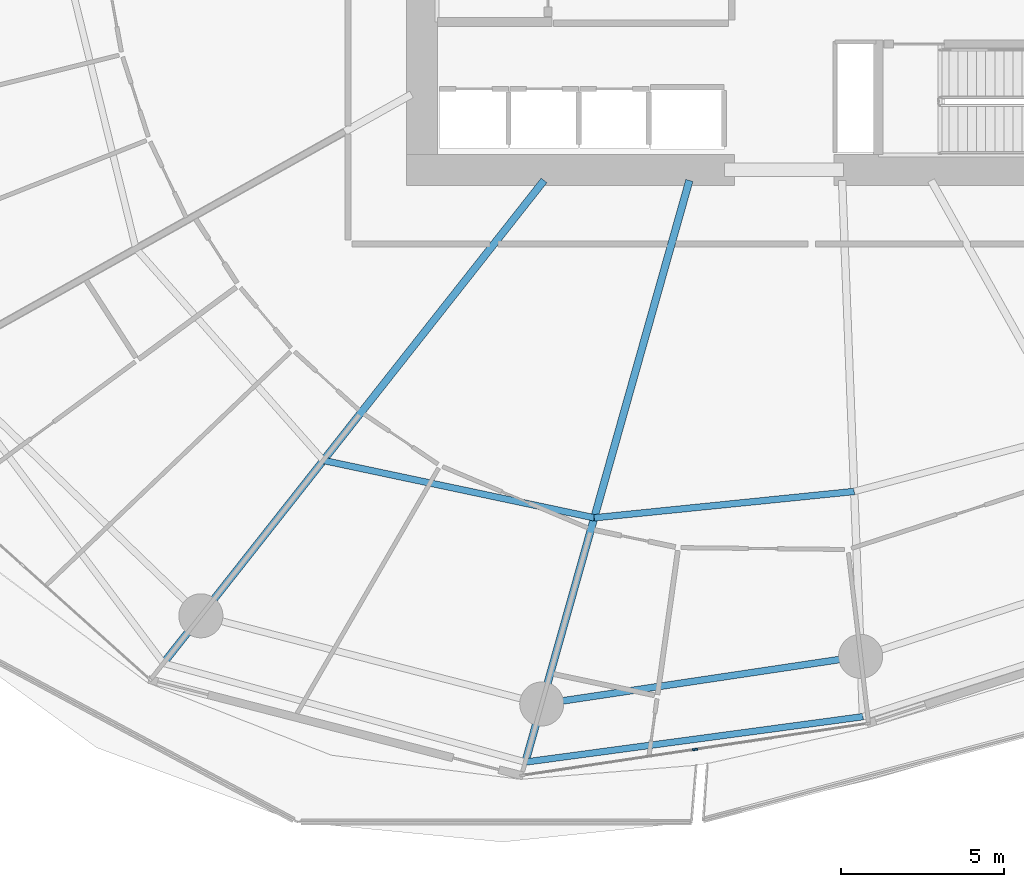
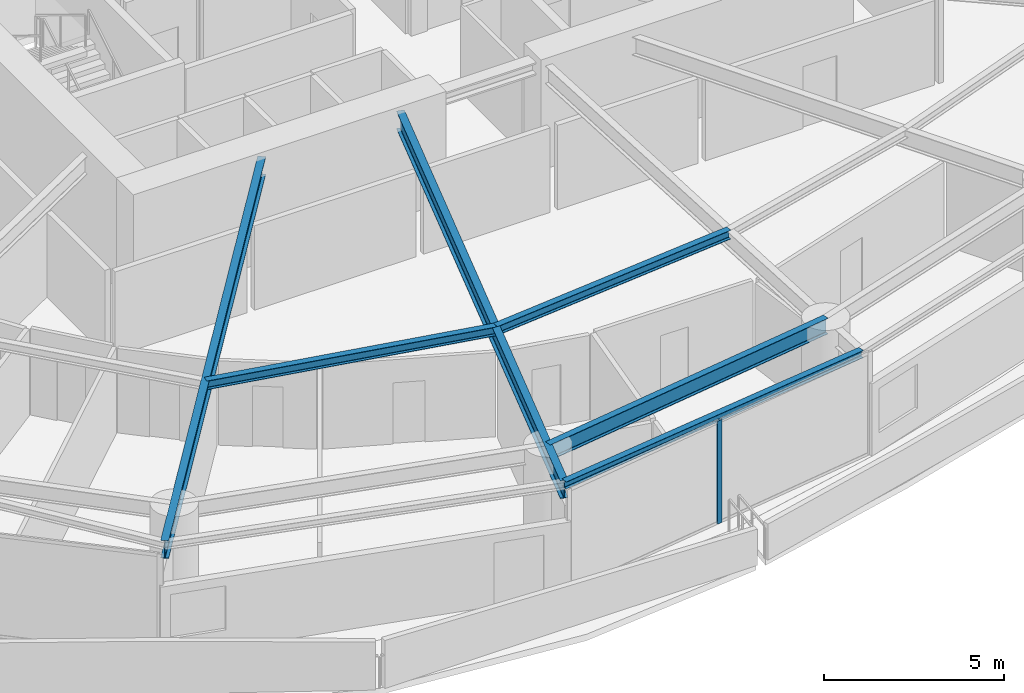
# One storey, part 7 of 31: 6 beams, 1 member, 1 element without a shape of its own.
"""IFC4 building model written with IfcOpenShell, lengths in metres."""

from ifc_helpers import new_model, si_unit, direction, frame, origin, origin_2d, place, context, subcontext, project, spatial, rectangle, i_section, extrude, material, layer, layer_set, material_profile, profile_set, type_object, element, aggregate, save


model = new_model("IFC4")

# Units and contexts
model_context = context("Model", 3, precision=1e-05, world=origin(), true_north=direction((0.0, 1.0)))
body_context = subcontext(model_context, "Body", "Model", "MODEL_VIEW")
ifc_project = project(units=[si_unit("LENGTHUNIT", "METRE"), si_unit("AREAUNIT", "SQUARE_METRE"), si_unit("VOLUMEUNIT", "CUBIC_METRE"), si_unit("PLANEANGLEUNIT", "RADIAN"), si_unit("MASSUNIT", "GRAM", prefix="KILO")], contexts=[model_context])

# Site, building, storey
site_placement = place(None, origin())
site = spatial("IfcSite", under=ifc_project, at=site_placement, CompositionType="ELEMENT")
building_placement = place(site_placement, origin())
building = spatial("IfcBuilding", under=site, at=building_placement, Name="Kazma Halo Residences", CompositionType="ELEMENT")
storey_placement = place(building_placement, frame((0.0, 0.0, 30.14990234375)))
storey = spatial("IfcBuildingStorey", under=building, at=storey_placement, Name="L06", CompositionType="ELEMENT", Elevation=30.14990234375)

# Beams
ifc_material_1 = material(Name="Steel S355", Category="steel")
ifc_material_profile_1 = material_profile(ifc_material_1, i_section(OverallWidth=0.201904296875, OverallDepth=0.2470703125, WebThickness=0.00732421875, FlangeThickness=0.010986328125, FilletRadius=0.011962890625, at=origin_2d()), Name="W250x49.1")
ifc_profile_set_1 = profile_set([ifc_material_profile_1], Name="Steel S355")
beam_type_1 = type_object("IfcBeamType", Name="BM-BAL-CANT", PredefinedType="BEAM", material=ifc_profile_set_1)
beam_1_placement = place(storey_placement, frame((40.489501953125, 15.3701171875, 3.376708984375), z_axis=(0.991080087388, 0.133267626912, 0.0), x_axis=(-0.133267626912, 0.991080087388, 0.0)))
element("IfcBeam", 1, at=beam_1_placement, inside=storey, type_object=beam_type_1, Name="L06 wave-balcony tie beam 11", PredefinedType="BEAM", context=body_context, shape_type="SweptSolid", body=[
    extrude(i_section(OverallWidth=0.201904296875, OverallDepth=0.2470703125, WebThickness=0.00732421875, FlangeThickness=0.010986328125, FilletRadius=0.011962890625, at=origin_2d()), origin(), (0.0, 0.0, 1.0), 10.444091796875),
])
ifc_material_profile_2 = material_profile(ifc_material_1, i_section(OverallWidth=0.22802734375, OverallDepth=0.60791015625, WebThickness=0.01123046875, FlangeThickness=0.017333984375, FilletRadius=0.01806640625, at=origin_2d()), Name="W610x113")
ifc_profile_set_2 = profile_set([ifc_material_profile_2], Name="Steel S355")
beam_type_2 = type_object("IfcBeamType", Name="BM-RAD-W610", PredefinedType="BEAM", material=ifc_profile_set_2)
beam_2_placement = place(storey_placement, frame((41.0625, 33.199951171875, 3.196044921875), z_axis=(-0.619092154321, -0.785318345932, 0.0), x_axis=(0.785318345932, -0.619092154321, 0.0)))
element("IfcBeam", 2, at=beam_2_placement, inside=storey, type_object=beam_type_2, Name="L06 radial floor beam 10", PredefinedType="BEAM", context=body_context, shape_type="SweptSolid", body=[
    extrude(i_section(OverallWidth=0.22802734375, OverallDepth=0.60791015625, WebThickness=0.01123046875, FlangeThickness=0.017333984375, FilletRadius=0.01806640625, at=origin_2d()), origin(), (0.0, 0.0, 1.0), 18.84375),
])
beam_3_placement = place(storey_placement, frame((45.51806640625, 33.199951171875, 3.196044921875), z_axis=(-0.271442010129, -0.962454796412, 0.0), x_axis=(0.962454796412, -0.271442010129, 0.0)))
element("IfcBeam", 3, at=beam_3_placement, inside=storey, type_object=beam_type_2, Name="L06 radial floor beam 11", PredefinedType="BEAM", context=body_context, shape_type="SweptSolid", body=[
    extrude(i_section(OverallWidth=0.22802734375, OverallDepth=0.60791015625, WebThickness=0.01123046875, FlangeThickness=0.017333984375, FilletRadius=0.01806640625, at=origin_2d()), origin(), (0.0, 0.0, 1.0), 18.525390625),
])
ifc_material_profile_3 = material_profile(ifc_material_1, i_section(OverallWidth=0.202880859375, OverallDepth=0.302978515625, WebThickness=0.007568359375, FlangeThickness=0.01318359375, FilletRadius=0.013916015625, at=origin_2d()), Name="W310x60")
ifc_profile_set_3 = profile_set([ifc_material_profile_3], Name="Steel S355")
beam_type_3 = type_object("IfcBeamType", Name="BM-SEC-W310A", PredefinedType="JOIST", material=ifc_profile_set_3)
beam_4_placement = place(storey_placement, frame((34.296142578125, 24.616943359375, 3.3486328125), z_axis=(0.97831665719, -0.207114746615, 0.0), x_axis=(0.207114746615, 0.97831665719, 0.0)))
element("IfcBeam", 4, at=beam_4_placement, inside=storey, type_object=beam_type_3, Name="L06 circumferential floor joist 10", PredefinedType="JOIST", context=body_context, shape_type="SweptSolid", body=[
    extrude(i_section(OverallWidth=0.202880859375, OverallDepth=0.302978515625, WebThickness=0.007568359375, FlangeThickness=0.01318359375, FilletRadius=0.013916015625, at=origin_2d()), origin(), (0.0, 0.0, 1.0), 8.489501953125),
])
beam_5_placement = place(storey_placement, frame((42.6015625, 22.858642578125, 3.3486328125), z_axis=(0.994907811148, 0.100789123008, 0.0), x_axis=(-0.100789123008, 0.994907811148, 0.0)))
element("IfcBeam", 5, at=beam_5_placement, inside=storey, type_object=beam_type_3, Name="L06 circumferential floor joist 11", PredefinedType="JOIST", context=body_context, shape_type="SweptSolid", body=[
    extrude(i_section(OverallWidth=0.202880859375, OverallDepth=0.302978515625, WebThickness=0.007568359375, FlangeThickness=0.01318359375, FilletRadius=0.013916015625, at=origin_2d()), origin(), (0.0, 0.0, 1.0), 8.010498046875),
])
ifc_material_profile_4 = material_profile(ifc_material_1, i_section(OverallWidth=0.208984375, OverallDepth=0.532958984375, WebThickness=0.01025390625, FlangeThickness=0.015625, FilletRadius=0.01611328125, at=origin_2d()), Name="W530x92")
ifc_profile_set_4 = profile_set([ifc_material_profile_4], Name="Steel S355")
beam_type_4 = type_object("IfcBeamType", Name="BM-SPN-W530", PredefinedType="BEAM", material=ifc_profile_set_4)
beam_6_placement = place(storey_placement, frame((40.99169921875, 17.150634765625, 3.233642578125), z_axis=(0.989033061974, 0.147694286693, 0.0), x_axis=(-0.147694286693, 0.989033061974, 0.0)))
element("IfcBeam", 6, at=beam_6_placement, inside=storey, type_object=beam_type_4, Name="L06 perimeter ring beam 11", PredefinedType="BEAM", context=body_context, shape_type="SweptSolid", body=[
    extrude(i_section(OverallWidth=0.208984375, OverallDepth=0.532958984375, WebThickness=0.01025390625, FlangeThickness=0.015625, FilletRadius=0.01611328125, at=origin_2d()), origin(), (0.0, 0.0, 1.0), 9.885009765625),
])

# Curtain wall, member
ifc_material_2 = material(Name="Aluminium AW-6063 T6 and Triple-Silver Low-E Glass", Category="aluminium")
ifc_layer = layer(ifc_material_2, 0.159912109375)
ifc_layer_set = layer_set([ifc_layer], Name="Aluminium AW-6063 T6 and Triple-Silver Low-E Glass")
curtain_wall_type = type_object("IfcCurtainWallType", Name="CW-SYS-2", PredefinedType="NOTDEFINED", material=ifc_layer_set)
curtain_wall_placement = place(storey_placement, origin())
curtain_wall = element("IfcCurtainWall", 7, at=curtain_wall_placement, inside=storey, type_object=curtain_wall_type, Name="L06 unitised curtain wall B11", PredefinedType="NOTDEFINED")
ifc_material_3 = material(Name="Aluminium AW-6063 T6", Category="aluminium")
ifc_material_profile_5 = material_profile(ifc_material_3, rectangle(XDim=0.06005859375, YDim=0.159912109375, at=origin_2d()), Name="CWM-60x160")
ifc_profile_set_5 = profile_set([ifc_material_profile_5], Name="Aluminium AW-6063 T6")
member_type = type_object("IfcMemberType", Name="CW-SYS-2-MUL", PredefinedType="MULLION", material=ifc_profile_set_5)
member_placement = place(storey_placement, frame((45.6923828125, 15.75732421875, 0.0), z_axis=(0.0, 0.0, 1.0), x_axis=(-0.148657272805, 0.988888777994, 0.0)))
member = element("IfcMember", 8, at=member_placement, type_object=member_type, Name="CWS-2 mullion 2", PredefinedType="MULLION", context=body_context, shape_type="SweptSolid", body=[
    extrude(rectangle(XDim=0.06005859375, YDim=0.159912109375, at=origin_2d()), origin(), (0.0, 0.0, 1.0), 3.5),
])
aggregate(curtain_wall, [member])

save(model, "model.ifc")
